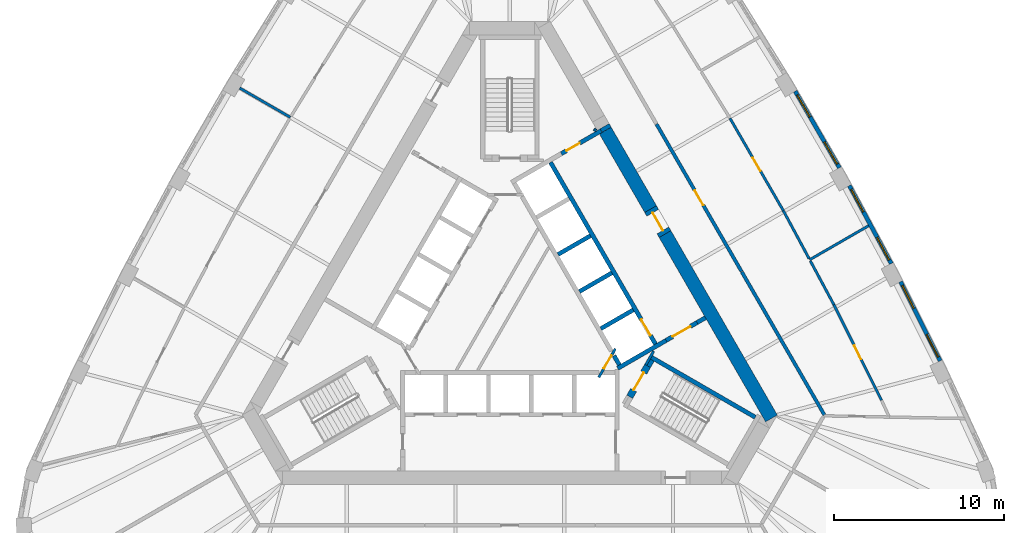
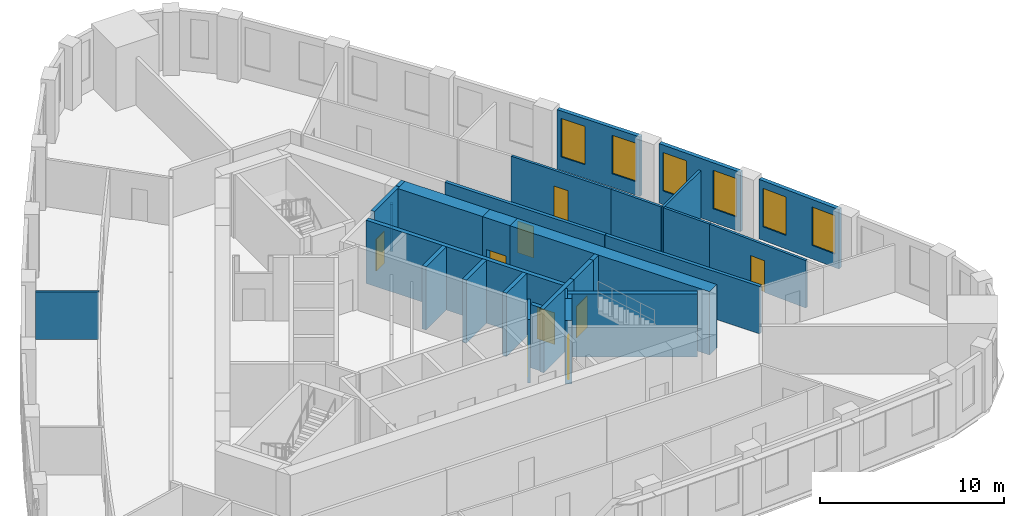
# One storey, part 7 of 10: 30 walls, 9 doors, 6 windows, 15 openings.
"""IFC4 building model written with IfcOpenShell, lengths in metres."""

from ifc_helpers import new_model, si_unit, direction, frame, frame_2d, origin, place, context, subcontext, project, spatial, polyline, rectangle, outline, extrude, material, layer, layer_set, type_object, element, fill, save


model = new_model("IFC4")

# Units and contexts
model_context = context("Model", 3, precision=1e-05, world=origin(), true_north=direction((0.0, 1.0)))
body_context = subcontext(model_context, "Body", "Model", "MODEL_VIEW")
ifc_project = project(units=[si_unit("LENGTHUNIT", "METRE"), si_unit("AREAUNIT", "SQUARE_METRE"), si_unit("VOLUMEUNIT", "CUBIC_METRE"), si_unit("PLANEANGLEUNIT", "RADIAN"), si_unit("MASSUNIT", "GRAM", prefix="KILO")], contexts=[model_context])

# Site, building, storey
site_placement = place(None, origin())
site = spatial("IfcSite", under=ifc_project, at=site_placement, CompositionType="ELEMENT")
building_placement = place(site_placement, origin())
building = spatial("IfcBuilding", under=site, at=building_placement, Name="Mestral Congress Tower", CompositionType="ELEMENT")
storey_placement = place(building_placement, frame((0.0, 0.0, 145.800048828125)))
storey = spatial("IfcBuildingStorey", under=building, at=storey_placement, Name="L34", CompositionType="ELEMENT", Elevation=145.800048828125)

# Walls
ifc_material_1 = material(Name="Fire-rated board partition")
ifc_layer_1 = layer(ifc_material_1, 0.14990234375)
ifc_layer_set_1 = layer_set([ifc_layer_1], Name="Fire-rated board partition")
wall_type_1 = type_object("IfcWallType", Name="Core partition 150", PredefinedType="PARTITIONING", material=ifc_layer_set_1)
wall_1_placement = place(storey_placement, frame((4.97998046875, 10.35791015625, 0.0), z_axis=(0.0, 0.0, 1.0), x_axis=(0.500640202437, 0.86565546709, 0.0)))
element("IfcWall", 1, at=wall_1_placement, inside=storey, type_object=wall_type_1, Name="L34 core wall", PredefinedType="PARTITIONING", context=body_context, shape_type="SweptSolid", body=[
    extrude(rectangle(XDim=0.145751953125, YDim=0.14990234375, at=frame_2d((0.07275390625, 0.0))), origin(), (0.0, 0.0, 1.0), 3.14990234375),
])
ifc_material_2 = material(Name="Concrete C60/75", Category="concrete")
ifc_layer_2 = layer(ifc_material_2, 0.800048828125)
ifc_layer_set_2 = layer_set([ifc_layer_2], Name="Concrete C60/75")
wall_type_2 = type_object("IfcWallType", Name="Core wall RC 800", PredefinedType="SOLIDWALL", material=ifc_layer_set_2)
wall_2_placement = place(storey_placement, frame((9.128662109375, 4.288818359375, 0.0), z_axis=(0.0, 0.0, 1.0), x_axis=(0.499995742806, -0.866027861663, 0.0)))
element("IfcWall", 2, at=wall_2_placement, inside=storey, type_object=wall_type_2, Name="L34 core wall", PredefinedType="SOLIDWALL", context=body_context, shape_type="SweptSolid", body=[
    extrude(rectangle(XDim=12.52734375, YDim=0.800048828125, at=frame_2d((6.263671875, 0.0))), origin(), (0.0, 0.0, 1.0), 4.199951171875),
])
wall_3_placement = place(storey_placement, frame((5.614501953125, 10.37548828125, 0.0), z_axis=(0.0, 0.0, 1.0), x_axis=(0.500002746266, -0.866023818221, 0.0)))
element("IfcWall", 3, at=wall_3_placement, inside=storey, type_object=wall_type_2, Name="L34 core wall", PredefinedType="SOLIDWALL", context=body_context, shape_type="SweptSolid", body=[
    extrude(rectangle(XDim=5.328125, YDim=0.800048828125, at=frame_2d((2.6640625, 0.0))), origin(), (0.0, 0.0, 1.0), 4.199951171875),
])
wall_4_placement = place(storey_placement, origin())
element("IfcWall", 4, at=wall_4_placement, inside=storey, type_object=wall_type_2, Name="L34 core wall", PredefinedType="SOLIDWALL", context=body_context, shape_type="SweptSolid", body=[
    extrude(outline(polyline([(5.431640625, 10.272216796875), (5.3076171875, 10.48681640625), (5.8359375, 10.7919921875), (5.9599609375, 10.5771484375), (5.431640625, 10.272216796875)])), origin(), (0.0, 0.0, 1.0), 4.199951171875),
])

# Wall, opening, door
wall_5_placement = place(storey_placement, frame((8.278564453125, 5.760986328125, 0.0), z_axis=(0.0, 0.0, 1.0), x_axis=(0.500062241894, -0.865989465428, 0.0)))
wall_5 = element("IfcWall", 5, at=wall_5_placement, inside=storey, type_object=wall_type_2, Name="L34 door wall", PredefinedType="SOLIDWALL", context=body_context, shape_type="SweptSolid", body=[
    extrude(rectangle(XDim=1.699951171875, YDim=0.800048828125, at=frame_2d((0.85009765625, 0.0))), origin(), (0.0, 0.0, 1.0), 4.199951171875),
])
opening_1_placement = place(wall_5_placement, frame((0.25, 0.0, 0.0)))
opening_1 = element("IfcOpeningElement", 6, at=opening_1_placement, cuts=wall_5, Name="Opening XDL", PredefinedType="OPENING", context=body_context, shape_type="SweptSolid", body=[
    extrude(rectangle(XDim=1.199951171875, YDim=2.10009765625, at=frame_2d((0.60009765625, 1.050048828125))), frame((0.0, 0.409912109375, 0.0), z_axis=(0.0, -1.0, 0.0), x_axis=(1.0, 0.0, 0.0)), (0.0, 0.0, 1.0), 0.820068359375),
])
ifc_material_3 = material(Name="Fire-rated steel door set", Category="steel")
door_type_1 = type_object("IfcDoorType", Name="Core door XD 1200x2100", OperationType="SINGLE_SWING_LEFT", PredefinedType="DOOR", material=ifc_material_3)
door_1_placement = place(opening_1_placement, origin())
door_1 = element("IfcDoor", 7, at=door_1_placement, inside=storey, type_object=door_type_1, Name="Door XDL", OperationType="SINGLE_SWING_LEFT", OverallHeight=2.10009765625, OverallWidth=1.199951171875, PredefinedType="DOOR", context=body_context, shape_type="SweptSolid", body=[
    extrude(rectangle(XDim=1.199951171875, YDim=2.10009765625, at=frame_2d((0.60009765625, 1.050048828125))), frame((0.0, 0.02490234375, 0.0), z_axis=(0.0, -1.0, 0.0), x_axis=(1.0, 0.0, 0.0)), (0.0, 0.0, 1.0), 0.050048828125),
])
fill(opening_1, door_1)

# Wall, openings, windows
ifc_material_4 = material(Name="Precast concrete C40/50 with limestone facing", Category="masonry")
ifc_layer_3 = layer(ifc_material_4, 0.239990234375)
ifc_layer_set_3 = layer_set([ifc_layer_3], Name="Precast concrete C40/50 with limestone facing")
wall_type_3 = type_object("IfcWallType", Name="Facade stone wall 240", PredefinedType="SOLIDWALL", material=ifc_layer_set_3)
wall_6_placement = place(storey_placement, frame((25.31591796875, -3.17138671875, 0.0), z_axis=(0.0, 0.0, 1.0), x_axis=(-0.446256171312, 0.8949052629, 0.0)))
wall_6 = element("IfcWall", 8, at=wall_6_placement, inside=storey, type_object=wall_type_3, Name="Facade wall F1-01", PredefinedType="SOLIDWALL", context=body_context, shape_type="SweptSolid", body=[
    extrude(rectangle(XDim=5.203369140625, YDim=0.239990234375, at=frame_2d((2.6015625, 0.0))), origin(), (0.0, 0.0, 1.0), 3.949951171875),
])
opening_2_placement = place(wall_6_placement, frame((0.248291015625, 0.0, 0.89990234375)))
opening_2 = element("IfcOpeningElement", 9, at=opening_2_placement, cuts=wall_6, Name="Opening W4", PredefinedType="OPENING", context=body_context, shape_type="SweptSolid", body=[
    extrude(rectangle(XDim=1.5, YDim=2.550048828125, at=frame_2d((0.75, 1.27490234375))), frame((0.0, 0.1298828125, 0.0), z_axis=(0.0, -1.0, 0.0), x_axis=(1.0, 0.0, 0.0)), (0.0, 0.0, 1.0), 0.260009765625),
])
opening_3_placement = place(wall_6_placement, frame((3.455078125, 0.0, 0.89990234375)))
opening_3 = element("IfcOpeningElement", 10, at=opening_3_placement, cuts=wall_6, Name="Opening W4", PredefinedType="OPENING", context=body_context, shape_type="SweptSolid", body=[
    extrude(rectangle(XDim=1.5, YDim=2.550048828125, at=frame_2d((0.75, 1.27490234375))), frame((0.0, 0.1298828125, 0.0), z_axis=(0.0, -1.0, 0.0), x_axis=(1.0, 0.0, 0.0)), (0.0, 0.0, 1.0), 0.260009765625),
])
ifc_material_5 = material(Name="Clear low-emissivity double glazing", Category="glass")
window_type = type_object("IfcWindowType", Name="Facade punched window 1500 x 2550 sill 900", PartitioningType="SINGLE_PANEL", PredefinedType="WINDOW", material=ifc_material_5)
window_1_placement = place(opening_2_placement, origin())
window_1 = element("IfcWindow", 11, at=window_1_placement, inside=storey, type_object=window_type, Name="Window F1-01a", OverallHeight=2.550048828125, OverallWidth=1.5, PartitioningType="SINGLE_PANEL", PredefinedType="WINDOW", context=body_context, shape_type="SweptSolid", body=[
    extrude(rectangle(XDim=1.5, YDim=2.550048828125, at=frame_2d((0.75, 1.27490234375))), frame((0.0, 0.0400390625, 0.0), z_axis=(0.0, -1.0, 0.0), x_axis=(1.0, 0.0, 0.0)), (0.0, 0.0, 1.0), 0.06005859375),
])
fill(opening_2, window_1)
window_2_placement = place(opening_3_placement, origin())
window_2 = element("IfcWindow", 12, at=window_2_placement, inside=storey, type_object=window_type, Name="Window F1-01b", OverallHeight=2.550048828125, OverallWidth=1.5, PartitioningType="SINGLE_PANEL", PredefinedType="WINDOW", context=body_context, shape_type="SweptSolid", body=[
    extrude(rectangle(XDim=1.5, YDim=2.550048828125, at=frame_2d((0.75, 1.27490234375))), frame((0.0, 0.0400390625, 0.0), z_axis=(0.0, -1.0, 0.0), x_axis=(1.0, 0.0, 0.0)), (0.0, 0.0, 1.0), 0.06005859375),
])
fill(opening_3, window_2)

wall_7_placement = place(storey_placement, frame((22.43994140625, 2.554931640625, 0.0), z_axis=(0.0, 0.0, 1.0), x_axis=(-0.473349833294, 0.880874528704, 0.0)))
wall_7 = element("IfcWall", 13, at=wall_7_placement, inside=storey, type_object=wall_type_3, Name="Facade wall F1-02", PredefinedType="SOLIDWALL", context=body_context, shape_type="SweptSolid", body=[
    extrude(rectangle(XDim=5.20361328125, YDim=0.239990234375, at=frame_2d((2.601806640625, 0.0))), origin(), (0.0, 0.0, 1.0), 3.949951171875),
])
opening_4_placement = place(wall_7_placement, frame((0.248291015625, 0.0, 0.89990234375)))
opening_4 = element("IfcOpeningElement", 14, at=opening_4_placement, cuts=wall_7, Name="Opening W4", PredefinedType="OPENING", context=body_context, shape_type="SweptSolid", body=[
    extrude(rectangle(XDim=1.5, YDim=2.550048828125, at=frame_2d((0.75, 1.27490234375))), frame((0.0, 0.1298828125, 0.0), z_axis=(0.0, -1.0, 0.0), x_axis=(1.0, 0.0, 0.0)), (0.0, 0.0, 1.0), 0.260009765625),
])
opening_5_placement = place(wall_7_placement, frame((3.455078125, 0.0, 0.89990234375)))
opening_5 = element("IfcOpeningElement", 15, at=opening_5_placement, cuts=wall_7, Name="Opening W4", PredefinedType="OPENING", context=body_context, shape_type="SweptSolid", body=[
    extrude(rectangle(XDim=1.5, YDim=2.550048828125, at=frame_2d((0.75, 1.27490234375))), frame((0.0, 0.1298828125, 0.0), z_axis=(0.0, -1.0, 0.0), x_axis=(1.0, 0.0, 0.0)), (0.0, 0.0, 1.0), 0.260009765625),
])
window_3_placement = place(opening_4_placement, origin())
window_3 = element("IfcWindow", 16, at=window_3_placement, inside=storey, type_object=window_type, Name="Window F1-02a", OverallHeight=2.550048828125, OverallWidth=1.5, PartitioningType="SINGLE_PANEL", PredefinedType="WINDOW", context=body_context, shape_type="SweptSolid", body=[
    extrude(rectangle(XDim=1.5, YDim=2.550048828125, at=frame_2d((0.75, 1.27490234375))), frame((0.0, 0.0400390625, 0.0), z_axis=(0.0, -1.0, 0.0), x_axis=(1.0, 0.0, 0.0)), (0.0, 0.0, 1.0), 0.06005859375),
])
fill(opening_4, window_3)
window_4_placement = place(opening_5_placement, origin())
window_4 = element("IfcWindow", 17, at=window_4_placement, inside=storey, type_object=window_type, Name="Window F1-02b", OverallHeight=2.550048828125, OverallWidth=1.5, PartitioningType="SINGLE_PANEL", PredefinedType="WINDOW", context=body_context, shape_type="SweptSolid", body=[
    extrude(rectangle(XDim=1.5, YDim=2.550048828125, at=frame_2d((0.75, 1.27490234375))), frame((0.0, 0.0400390625, 0.0), z_axis=(0.0, -1.0, 0.0), x_axis=(1.0, 0.0, 0.0)), (0.0, 0.0, 1.0), 0.06005859375),
])
fill(opening_5, window_4)

wall_8_placement = place(storey_placement, frame((19.390625, 8.19091796875, 0.0), z_axis=(0.0, 0.0, 1.0), x_axis=(-0.500009456303, 0.866019944116, 0.0)))
wall_8 = element("IfcWall", 18, at=wall_8_placement, inside=storey, type_object=wall_type_3, Name="Facade wall F1-03", PredefinedType="SOLIDWALL", context=body_context, shape_type="SweptSolid", body=[
    extrude(rectangle(XDim=5.20361328125, YDim=0.239990234375, at=frame_2d((2.601806640625, 0.0))), origin(), (0.0, 0.0, 1.0), 3.949951171875),
])
opening_6_placement = place(wall_8_placement, frame((0.248291015625, 0.0, 0.89990234375)))
opening_6 = element("IfcOpeningElement", 19, at=opening_6_placement, cuts=wall_8, Name="Opening W4", PredefinedType="OPENING", context=body_context, shape_type="SweptSolid", body=[
    extrude(rectangle(XDim=1.5, YDim=2.550048828125, at=frame_2d((0.75, 1.27490234375))), frame((0.0, 0.1298828125, 0.0), z_axis=(0.0, -1.0, 0.0), x_axis=(1.0, 0.0, 0.0)), (0.0, 0.0, 1.0), 0.260009765625),
])
opening_7_placement = place(wall_8_placement, frame((3.455078125, 0.0, 0.89990234375)))
opening_7 = element("IfcOpeningElement", 20, at=opening_7_placement, cuts=wall_8, Name="Opening W4", PredefinedType="OPENING", context=body_context, shape_type="SweptSolid", body=[
    extrude(rectangle(XDim=1.5, YDim=2.550048828125, at=frame_2d((0.75, 1.27490234375))), frame((0.0, 0.1298828125, 0.0), z_axis=(0.0, -1.0, 0.0), x_axis=(1.0, 0.0, 0.0)), (0.0, 0.0, 1.0), 0.260009765625),
])
window_5_placement = place(opening_6_placement, origin())
window_5 = element("IfcWindow", 21, at=window_5_placement, inside=storey, type_object=window_type, Name="Window F1-03a", OverallHeight=2.550048828125, OverallWidth=1.5, PartitioningType="SINGLE_PANEL", PredefinedType="WINDOW", context=body_context, shape_type="SweptSolid", body=[
    extrude(rectangle(XDim=1.5, YDim=2.550048828125, at=frame_2d((0.75, 1.27490234375))), frame((0.0, 0.0400390625, 0.0), z_axis=(0.0, -1.0, 0.0), x_axis=(1.0, 0.0, 0.0)), (0.0, 0.0, 1.0), 0.06005859375),
])
fill(opening_6, window_5)
window_6_placement = place(opening_7_placement, origin())
window_6 = element("IfcWindow", 22, at=window_6_placement, inside=storey, type_object=window_type, Name="Window F1-03b", OverallHeight=2.550048828125, OverallWidth=1.5, PartitioningType="SINGLE_PANEL", PredefinedType="WINDOW", context=body_context, shape_type="SweptSolid", body=[
    extrude(rectangle(XDim=1.5, YDim=2.550048828125, at=frame_2d((0.75, 1.27490234375))), frame((0.0, 0.0400390625, 0.0), z_axis=(0.0, -1.0, 0.0), x_axis=(1.0, 0.0, 0.0)), (0.0, 0.0, 1.0), 0.06005859375),
])
fill(opening_7, window_6)

# Wall
ifc_material_6 = material(Name="Plasterboard partition on steel studs", Category="steel")
ifc_layer_4 = layer(ifc_material_6, 0.14990234375)
ifc_layer_set_4 = layer_set([ifc_layer_4], Name="Plasterboard partition on steel studs")
wall_type_4 = type_object("IfcWallType", Name="Office partition 150", PredefinedType="PARTITIONING", material=ifc_layer_set_4)
wall_9_placement = place(storey_placement, frame((17.64111328125, 2.78125, 0.0), z_axis=(0.0, 0.0, 1.0), x_axis=(0.866053520969, 0.499951296445, 0.0)))
element("IfcWall", 23, at=wall_9_placement, inside=storey, type_object=wall_type_4, Name="Partition", PredefinedType="PARTITIONING", context=body_context, shape_type="SweptSolid", body=[
    extrude(rectangle(XDim=4.001953125, YDim=0.14990234375, at=frame_2d((2.0009765625, 0.0))), origin(), (0.0, 0.0, 1.0), 3.14990234375),
])

# Wall, opening, door
wall_10_placement = place(storey_placement, frame((19.066162109375, 0.12939453125, 0.0), z_axis=(0.0, 0.0, 1.0), x_axis=(0.446202922071, -0.89493181435, 0.0)))
wall_10 = element("IfcWall", 24, at=wall_10_placement, inside=storey, type_object=wall_type_4, Name="Partition", PredefinedType="PARTITIONING", context=body_context, shape_type="SweptSolid", body=[
    extrude(rectangle(XDim=6.282470703125, YDim=0.14990234375, at=frame_2d((3.14111328125, 0.0))), origin(), (0.0, 0.0, 1.0), 3.14990234375),
])
opening_8_placement = place(wall_10_placement, frame((2.6826171875, 0.0, 0.0)))
opening_8 = element("IfcOpeningElement", 25, at=opening_8_placement, cuts=wall_10, Name="Opening O01-008", PredefinedType="OPENING", context=body_context, shape_type="SweptSolid", body=[
    extrude(rectangle(XDim=0.89990234375, YDim=2.10009765625, at=frame_2d((0.449951171875, 1.050048828125))), frame((0.0, 0.0849609375, 0.0), z_axis=(0.0, -1.0, 0.0), x_axis=(1.0, 0.0, 0.0)), (0.0, 0.0, 1.0), 0.169921875),
])
ifc_material_7 = material(Name="Timber door set", Category="wood")
door_type_2 = type_object("IfcDoorType", Name="Office door 900x2100", OperationType="SINGLE_SWING_LEFT", PredefinedType="DOOR", material=ifc_material_7)
door_2_placement = place(opening_8_placement, origin())
door_2 = element("IfcDoor", 26, at=door_2_placement, inside=storey, type_object=door_type_2, Name="Door O01-008", OperationType="SINGLE_SWING_LEFT", OverallHeight=2.10009765625, OverallWidth=0.89990234375, PredefinedType="DOOR", context=body_context, shape_type="SweptSolid", body=[
    extrude(rectangle(XDim=0.89990234375, YDim=2.10009765625, at=frame_2d((0.449951171875, 1.050048828125))), frame((0.0, 0.02490234375, 0.0), z_axis=(0.0, -1.0, 0.0), x_axis=(1.0, 0.0, 0.0)), (0.0, 0.0, 1.0), 0.050048828125),
])
fill(opening_8, door_2)

# Walls
wall_11_placement = place(storey_placement, frame((19.066162109375, 0.12939453125, 0.0), z_axis=(0.0, 0.0, 1.0), x_axis=(-0.473335829303, 0.880882053795, 0.0)))
element("IfcWall", 27, at=wall_11_placement, inside=storey, type_object=wall_type_4, Name="Partition", PredefinedType="PARTITIONING", context=body_context, shape_type="SweptSolid", body=[
    extrude(rectangle(XDim=2.935302734375, YDim=0.14990234375, at=frame_2d((1.4677734375, 0.0))), origin(), (0.0, 0.0, 1.0), 3.14990234375),
])
wall_12_placement = place(storey_placement, frame((17.605712890625, 2.847412109375, 0.0), z_axis=(0.0, 0.0, 1.0), x_axis=(-0.473348321673, 0.880875340993, 0.0)))
element("IfcWall", 28, at=wall_12_placement, inside=storey, type_object=wall_type_4, Name="Partition", PredefinedType="PARTITIONING", context=body_context, shape_type="SweptSolid", body=[
    extrude(rectangle(XDim=3.197265625, YDim=0.14990234375, at=frame_2d((1.5986328125, 0.0))), origin(), (0.0, 0.0, 1.0), 3.14990234375),
])

# Wall, opening, door
wall_13_placement = place(storey_placement, frame((12.951171875, 11.1044921875, 0.0), z_axis=(0.0, 0.0, 1.0), x_axis=(0.499992691614, -0.866029623242, 0.0)))
wall_13 = element("IfcWall", 29, at=wall_13_placement, inside=storey, type_object=wall_type_4, Name="Partition", PredefinedType="PARTITIONING", context=body_context, shape_type="SweptSolid", body=[
    extrude(rectangle(XDim=6.2822265625, YDim=0.14990234375, at=frame_2d((3.14111328125, 0.0))), origin(), (0.0, 0.0, 1.0), 3.14990234375),
])
opening_9_placement = place(wall_13_placement, frame((2.6826171875, 0.0, 0.0)))
opening_9 = element("IfcOpeningElement", 30, at=opening_9_placement, cuts=wall_13, Name="Opening O01-009", PredefinedType="OPENING", context=body_context, shape_type="SweptSolid", body=[
    extrude(rectangle(XDim=0.89990234375, YDim=2.10009765625, at=frame_2d((0.449951171875, 1.050048828125))), frame((0.0, 0.0849609375, 0.0), z_axis=(0.0, -1.0, 0.0), x_axis=(1.0, 0.0, 0.0)), (0.0, 0.0, 1.0), 0.169921875),
])
door_3_placement = place(opening_9_placement, origin())
door_3 = element("IfcDoor", 31, at=door_3_placement, inside=storey, type_object=door_type_2, Name="Door O01-009", OperationType="SINGLE_SWING_LEFT", OverallHeight=2.10009765625, OverallWidth=0.89990234375, PredefinedType="DOOR", context=body_context, shape_type="SweptSolid", body=[
    extrude(rectangle(XDim=0.89990234375, YDim=2.10009765625, at=frame_2d((0.449951171875, 1.050048828125))), frame((0.0, 0.02490234375, 0.0), z_axis=(0.0, -1.0, 0.0), x_axis=(1.0, 0.0, 0.0)), (0.0, 0.0, 1.0), 0.050048828125),
])
fill(opening_9, door_3)

# Wall
wall_14_placement = place(storey_placement, frame((-12.91650390625, 11.16015625, 0.0), z_axis=(0.0, 0.0, 1.0), x_axis=(-0.866039125629, 0.499976232315, 0.0)))
element("IfcWall", 32, at=wall_14_placement, inside=storey, type_object=wall_type_4, Name="Partition", PredefinedType="PARTITIONING", context=body_context, shape_type="SweptSolid", body=[
    extrude(rectangle(XDim=3.442138671875, YDim=0.14990234375, at=frame_2d((1.72119140625, 0.0))), origin(), (0.0, 0.0, 1.0), 3.14990234375),
])

# Wall, opening, door
ifc_material_8 = material(Name="Dense masonry wall, plastered", Category="masonry")
ifc_layer_5 = layer(ifc_material_8, 0.199951171875)
ifc_layer_set_5 = layer_set([ifc_layer_5], Name="Dense masonry wall, plastered")
wall_type_5 = type_object("IfcWallType", Name="Office tenancy wall 200", PredefinedType="PARTITIONING", material=ifc_layer_set_5)
wall_15_placement = place(storey_placement, frame((13.63037109375, 2.09130859375, 0.0), z_axis=(0.0, 0.0, 1.0), x_axis=(-0.499990634175, 0.866030811078, 0.0)))
wall_15 = element("IfcWall", 33, at=wall_15_placement, inside=storey, type_object=wall_type_5, Name="Tenancy wall", PredefinedType="PARTITIONING", context=body_context, shape_type="SweptSolid", body=[
    extrude(rectangle(XDim=10.008056640625, YDim=0.199951171875, at=frame_2d((5.00390625, 0.0))), origin(), (0.0, 0.0, 1.0), 3.14990234375),
])
opening_10_placement = place(wall_15_placement, frame((4.5, 0.0, 0.0)))
opening_10 = element("IfcOpeningElement", 34, at=opening_10_placement, cuts=wall_15, Name="Opening O01-011", PredefinedType="OPENING", context=body_context, shape_type="SweptSolid", body=[
    extrude(rectangle(XDim=1.0, YDim=2.10009765625, at=frame_2d((0.5, 1.050048828125))), frame((0.0, 0.10986328125, 0.0), z_axis=(0.0, -1.0, 0.0), x_axis=(1.0, 0.0, 0.0)), (0.0, 0.0, 1.0), 0.219970703125),
])
ifc_material_9 = material(Name="Fire-rated timber door set", Category="wood")
door_type_3 = type_object("IfcDoorType", Name="Office tenancy entrance door 1000x2100", OperationType="SINGLE_SWING_LEFT", PredefinedType="DOOR", material=ifc_material_9)
door_4_placement = place(opening_10_placement, origin())
door_4 = element("IfcDoor", 35, at=door_4_placement, inside=storey, type_object=door_type_3, Name="Door O01-011", OperationType="SINGLE_SWING_LEFT", OverallHeight=2.10009765625, OverallWidth=1.0, PredefinedType="DOOR", context=body_context, shape_type="SweptSolid", body=[
    extrude(rectangle(XDim=1.0, YDim=2.10009765625, at=frame_2d((0.5, 1.050048828125))), frame((0.0, 0.02490234375, 0.0), z_axis=(0.0, -1.0, 0.0), x_axis=(1.0, 0.0, 0.0)), (0.0, 0.0, 1.0), 0.050048828125),
])
fill(opening_10, door_4)

# Walls
wall_16_placement = place(storey_placement, frame((18.504150390625, -6.35009765625, 0.0), z_axis=(0.0, 0.0, 1.0), x_axis=(-0.499995029582, 0.866028273438, 0.0)))
element("IfcWall", 36, at=wall_16_placement, inside=storey, type_object=wall_type_5, Name="Tenancy wall", PredefinedType="PARTITIONING", context=body_context, shape_type="SweptSolid", body=[
    extrude(rectangle(XDim=9.71728515625, YDim=0.199951171875, at=frame_2d((4.858642578125, 0.0))), origin(), (0.0, 0.0, 1.0), 3.14990234375),
])
ifc_layer_6 = layer(ifc_material_2, 0.25)
ifc_layer_set_6 = layer_set([ifc_layer_6], Name="Concrete C60/75")
wall_type_6 = type_object("IfcWallType", Name="Shaft wall RC 250", PredefinedType="SOLIDWALL", material=ifc_layer_set_6)
wall_17_placement = place(storey_placement, frame((9.190185546875, -1.96875, 0.0), z_axis=(0.0, 0.0, 1.0), x_axis=(-0.866057109641, -0.499945079824, 0.0)))
element("IfcWall", 37, at=wall_17_placement, inside=storey, type_object=wall_type_6, Name="L34 core wall", PredefinedType="SOLIDWALL", context=body_context, shape_type="SweptSolid", body=[
    extrude(rectangle(XDim=3.290771484375, YDim=0.25, at=frame_2d((1.6455078125, 0.0))), origin(), (0.0, 0.0, 1.0), 4.199951171875),
])
wall_18_placement = place(storey_placement, frame((6.1298828125, -2.867431640625, 0.0), z_axis=(0.0, 0.0, 1.0), x_axis=(0.500160776593, -0.865932559475, 0.0)))
element("IfcWall", 38, at=wall_18_placement, inside=storey, type_object=wall_type_6, Name="L34 core wall", PredefinedType="SOLIDWALL", context=body_context, shape_type="SweptSolid", body=[
    extrude(rectangle(XDim=0.626708984375, YDim=0.25, at=frame_2d((0.3134765625, 0.0))), origin(), (0.0, 0.0, 1.0), 4.199951171875),
])
wall_19_placement = place(storey_placement, frame((11.507080078125, -0.631103515625, 0.0), z_axis=(0.0, 0.0, 1.0), x_axis=(-0.866093731455, -0.499881634324, 0.0)))
element("IfcWall", 39, at=wall_19_placement, inside=storey, type_object=wall_type_6, Name="L34 core wall", PredefinedType="SOLIDWALL", context=body_context, shape_type="SweptSolid", body=[
    extrude(rectangle(XDim=0.575439453125, YDim=0.25, at=frame_2d((0.28759765625, 0.0))), origin(), (0.0, 0.0, 1.0), 4.199951171875),
])
for number, where, z_axis, x_axis, name in (
    (40, (2.833984375, 3.091064453125, 0.0), (0.0, 0.0, 1.0), (0.866008176907, 0.50002983664, 0.0), "L34 core wall"),
    (41, (4.093994140625, 0.90869140625, 0.0), (0.0, 0.0, 1.0), (0.866008176907, 0.50002983664, 0.0), "L34 core wall"),
    (42, (5.35400390625, -1.273681640625, 0.0), (0.0, 0.0, 1.0), (0.866008176907, 0.50002983664, 0.0), "L34 core wall"),
):
    element("IfcWall", number, at=place(storey_placement, frame(where, z_axis=z_axis, x_axis=x_axis)), inside=storey, type_object=wall_type_6, Name=name, PredefinedType="SOLIDWALL", context=body_context, shape_type="SweptSolid", body=[
        extrude(rectangle(XDim=2.199951171875, YDim=0.25, at=frame_2d((1.10009765625, 0.0))), origin(), (0.0, 0.0, 1.0), 4.199951171875),
    ])

# Wall, opening, door
wall_20_placement = place(storey_placement, frame((8.565185546875, -2.185302734375, 0.0), z_axis=(0.0, 0.0, 1.0), x_axis=(-0.499997954832, 0.866026584559, 0.0)))
wall_20 = element("IfcWall", 43, at=wall_20_placement, inside=storey, type_object=wall_type_6, Name="L34 door wall", PredefinedType="SOLIDWALL", context=body_context, shape_type="SweptSolid", body=[
    extrude(rectangle(XDim=12.35009765625, YDim=0.25, at=frame_2d((6.175048828125, 0.0))), origin(), (0.0, 0.0, 1.0), 4.199951171875),
])
opening_11_placement = place(wall_20_placement, frame((0.5849609375, 0.0, 0.0)))
opening_11 = element("IfcOpeningElement", 44, at=opening_11_placement, cuts=wall_20, Name="Opening LD-NEB1", PredefinedType="OPENING", context=body_context, shape_type="SweptSolid", body=[
    extrude(rectangle(XDim=1.10009765625, YDim=2.10009765625, at=frame_2d((0.550048828125, 1.050048828125))), frame((0.0, 0.135009765625, 0.0), z_axis=(0.0, -1.0, 0.0), x_axis=(1.0, 0.0, 0.0)), (0.0, 0.0, 1.0), 0.27001953125),
])
door_type_4 = type_object("IfcDoorType", Name="Core door LD 1100x2100", OperationType="DOUBLE_DOOR_SLIDING", PredefinedType="DOOR", material=ifc_material_3)
door_5_placement = place(opening_11_placement, origin())
door_5 = element("IfcDoor", 45, at=door_5_placement, inside=storey, type_object=door_type_4, Name="Door LD-NEB1", OperationType="DOUBLE_DOOR_SLIDING", OverallHeight=2.10009765625, OverallWidth=1.10009765625, PredefinedType="DOOR", context=body_context, shape_type="SweptSolid", body=[
    extrude(rectangle(XDim=1.10009765625, YDim=2.10009765625, at=frame_2d((0.550048828125, 1.050048828125))), frame((0.0, 0.02490234375, 0.0), z_axis=(0.0, -1.0, 0.0), x_axis=(1.0, 0.0, 0.0)), (0.0, 0.0, 1.0), 0.050048828125),
])
fill(opening_11, door_5)

wall_21_placement = place(storey_placement, frame((5.3662109375, 10.372802734375, 0.0), z_axis=(0.0, 0.0, 1.0), x_axis=(-0.866019956843, -0.50000943426, 0.0)))
wall_21 = element("IfcWall", 46, at=wall_21_placement, inside=storey, type_object=wall_type_6, Name="L34 door wall", PredefinedType="SOLIDWALL", context=body_context, shape_type="SweptSolid", body=[
    extrude(rectangle(XDim=2.7001953125, YDim=0.25, at=frame_2d((1.35009765625, 0.0))), origin(), (0.0, 0.0, 1.0), 4.199951171875),
])
opening_12_placement = place(wall_21_placement, frame((1.449951171875, 0.0, 0.0)))
opening_12 = element("IfcOpeningElement", 47, at=opening_12_placement, cuts=wall_21, Name="Opening TD2", PredefinedType="OPENING", context=body_context, shape_type="SweptSolid", body=[
    extrude(rectangle(XDim=0.89990234375, YDim=2.10009765625, at=frame_2d((0.449951171875, 1.050048828125))), frame((0.0, 0.135009765625, 0.0), z_axis=(0.0, -1.0, 0.0), x_axis=(1.0, 0.0, 0.0)), (0.0, 0.0, 1.0), 0.27001953125),
])
door_type_5 = type_object("IfcDoorType", Name="Core door SR 900x2100", OperationType="SINGLE_SWING_LEFT", PredefinedType="DOOR", material=ifc_material_3)
door_6_placement = place(opening_12_placement, origin())
door_6 = element("IfcDoor", 48, at=door_6_placement, inside=storey, type_object=door_type_5, Name="Door TD2", OperationType="SINGLE_SWING_LEFT", OverallHeight=2.10009765625, OverallWidth=0.89990234375, PredefinedType="DOOR", context=body_context, shape_type="SweptSolid", body=[
    extrude(rectangle(XDim=0.89990234375, YDim=2.10009765625, at=frame_2d((0.449951171875, 1.050048828125))), frame((0.0, 0.02490234375, 0.0), z_axis=(0.0, -1.0, 0.0), x_axis=(1.0, 0.0, 0.0)), (0.0, 0.0, 1.0), 0.050048828125),
])
fill(opening_12, door_6)

wall_22_placement = place(storey_placement, frame((11.0087890625, -0.918701171875, 0.0), z_axis=(0.0, 0.0, 1.0), x_axis=(-0.866059744384, -0.49994051562, 0.0)))
wall_22 = element("IfcWall", 49, at=wall_22_placement, inside=storey, type_object=wall_type_6, Name="L34 door wall", PredefinedType="SOLIDWALL", context=body_context, shape_type="SweptSolid", body=[
    extrude(rectangle(XDim=2.099853515625, YDim=0.25, at=frame_2d((1.0498046875, 0.0))), origin(), (0.0, 0.0, 1.0), 4.199951171875),
])
opening_13_placement = place(wall_22_placement, frame((0.449951171875, 0.0, 0.0)))
opening_13 = element("IfcOpeningElement", 50, at=opening_13_placement, cuts=wall_22, Name="Opening LB1-PX10", PredefinedType="OPENING", context=body_context, shape_type="SweptSolid", body=[
    extrude(rectangle(XDim=1.199951171875, YDim=2.10009765625, at=frame_2d((0.60009765625, 1.050048828125))), frame((0.0, 0.135009765625, 0.0), z_axis=(0.0, -1.0, 0.0), x_axis=(1.0, 0.0, 0.0)), (0.0, 0.0, 1.0), 0.27001953125),
])
door_type_6 = type_object("IfcDoorType", Name="Core door LB 1200x2100", OperationType="SINGLE_SWING_LEFT", PredefinedType="DOOR", material=ifc_material_3)
door_7_placement = place(opening_13_placement, origin())
door_7 = element("IfcDoor", 51, at=door_7_placement, inside=storey, type_object=door_type_6, Name="Door LB1-PX10", OperationType="SINGLE_SWING_LEFT", OverallHeight=2.10009765625, OverallWidth=1.199951171875, PredefinedType="DOOR", context=body_context, shape_type="SweptSolid", body=[
    extrude(rectangle(XDim=1.199951171875, YDim=2.10009765625, at=frame_2d((0.60009765625, 1.050048828125))), frame((0.0, 0.02490234375, 0.0), z_axis=(0.0, -1.0, 0.0), x_axis=(1.0, 0.0, 0.0)), (0.0, 0.0, 1.0), 0.050048828125),
])
fill(opening_13, door_7)

# Wall
ifc_layer_7 = layer(ifc_material_2, 0.14990234375)
ifc_layer_set_7 = layer_set([ifc_layer_7], Name="Concrete C60/75")
wall_type_7 = type_object("IfcWallType", Name="Shaft wall RC 250 door-wall 150", PredefinedType="SOLIDWALL", material=ifc_layer_set_7)
wall_23_placement = place(storey_placement, frame((8.459228515625, -2.59912109375, 0.0), z_axis=(0.0, 0.0, 1.0), x_axis=(-0.500041054325, -0.866001699761, 0.0)))
element("IfcWall", 52, at=wall_23_placement, inside=storey, type_object=wall_type_7, Name="L34 core wall", PredefinedType="PARTITIONING", context=body_context, shape_type="SweptSolid", body=[
    extrude(rectangle(XDim=0.9287109375, YDim=0.14990234375, at=frame_2d((0.46435546875, 0.0))), origin(), (0.0, 0.0, 1.0), 4.199951171875),
])

# Wall, opening, door
wall_24_placement = place(storey_placement, frame((6.203369140625, -2.45556640625, 0.0), z_axis=(0.0, 0.0, 1.0), x_axis=(-0.500043961785, -0.866000020948, 0.0)))
wall_24 = element("IfcWall", 53, at=wall_24_placement, inside=storey, type_object=wall_type_7, Name="L34 door wall", PredefinedType="PARTITIONING", context=body_context, shape_type="SweptSolid", body=[
    extrude(rectangle(XDim=1.949951171875, YDim=0.14990234375, at=frame_2d((0.97509765625, 0.0))), origin(), (0.0, 0.0, 1.0), 4.199951171875),
])
opening_14_placement = place(wall_24_placement, frame((0.449951171875, 0.0, 0.0)))
opening_14 = element("IfcOpeningElement", 54, at=opening_14_placement, cuts=wall_24, Name="Opening CD1-HUB0", PredefinedType="OPENING", context=body_context, shape_type="SweptSolid", body=[
    extrude(rectangle(XDim=0.89990234375, YDim=2.10009765625, at=frame_2d((0.449951171875, 1.050048828125))), frame((0.0, 0.0849609375, 0.0), z_axis=(0.0, -1.0, 0.0), x_axis=(1.0, 0.0, 0.0)), (0.0, 0.0, 1.0), 0.169921875),
])
door_type_7 = type_object("IfcDoorType", Name="Core door CD 900x2100", OperationType="SINGLE_SWING_LEFT", PredefinedType="DOOR", material=ifc_material_3)
door_8_placement = place(opening_14_placement, origin())
door_8 = element("IfcDoor", 55, at=door_8_placement, inside=storey, type_object=door_type_7, Name="Door CD1-HUB0", OperationType="SINGLE_SWING_LEFT", OverallHeight=2.10009765625, OverallWidth=0.89990234375, PredefinedType="DOOR", context=body_context, shape_type="SweptSolid", body=[
    extrude(rectangle(XDim=0.89990234375, YDim=2.10009765625, at=frame_2d((0.449951171875, 1.050048828125))), frame((0.0, 0.02490234375, 0.0), z_axis=(0.0, -1.0, 0.0), x_axis=(1.0, 0.0, 0.0)), (0.0, 0.0, 1.0), 0.050048828125),
])
fill(opening_14, door_8)

# Walls
ifc_layer_8 = layer(ifc_material_2, 0.25)
ifc_layer_set_8 = layer_set([ifc_layer_8], Name="Concrete C60/75")
wall_type_8 = type_object("IfcWallType", Name="Stair wall RC 250", PredefinedType="SOLIDWALL", material=ifc_layer_set_8)
wall_25_placement = place(storey_placement, frame((8.33447265625, -2.96435546875, 0.0), z_axis=(0.0, 0.0, 1.0), x_axis=(0.866016039709, -0.500016218704, 0.0)))
element("IfcWall", 56, at=wall_25_placement, inside=storey, type_object=wall_type_8, Name="L34 core wall", PredefinedType="SOLIDWALL", context=body_context, shape_type="SweptSolid", body=[
    extrude(rectangle(XDim=7.050048828125, YDim=0.25, at=frame_2d((3.52490234375, 0.0))), origin(), (0.0, 0.0, 1.0), 4.199951171875),
])
wall_26_placement = place(storey_placement, frame((8.167724609375, -3.503173828125, 0.0), z_axis=(0.0, 0.0, 1.0), x_axis=(0.49972245349, 0.866185586049, 0.0)))
element("IfcWall", 57, at=wall_26_placement, inside=storey, type_object=wall_type_8, Name="L34 core wall", PredefinedType="SOLIDWALL", context=body_context, shape_type="SweptSolid", body=[
    extrude(rectangle(XDim=0.425048828125, YDim=0.25, at=frame_2d((0.21240234375, 0.0))), origin(), (0.0, 0.0, 1.0), 4.199951171875),
])

# Wall, opening, door
ifc_layer_9 = layer(ifc_material_2, 0.39990234375)
ifc_layer_set_9 = layer_set([ifc_layer_9], Name="Concrete C60/75")
wall_type_9 = type_object("IfcWallType", Name="Stair wall RC 250 door-wall 400", PredefinedType="SOLIDWALL", material=ifc_layer_set_9)
wall_27_placement = place(storey_placement, frame((7.052734375, -5.2841796875, 0.0), z_axis=(0.0, 0.0, 1.0), x_axis=(0.500078061341, 0.865980330357, 0.0)))
wall_27 = element("IfcWall", 58, at=wall_27_placement, inside=storey, type_object=wall_type_9, Name="L34 door wall", PredefinedType="SOLIDWALL", context=body_context, shape_type="SweptSolid", body=[
    extrude(rectangle(XDim=2.099853515625, YDim=0.39990234375, at=frame_2d((1.0498046875, 0.0))), origin(), (0.0, 0.0, 1.0), 4.199951171875),
])
opening_15_placement = place(wall_27_placement, frame((0.449951171875, 0.0, 0.0)))
opening_15 = element("IfcOpeningElement", 59, at=opening_15_placement, cuts=wall_27, Name="Opening ST-D1", PredefinedType="OPENING", context=body_context, shape_type="SweptSolid", body=[
    extrude(rectangle(XDim=1.199951171875, YDim=2.10009765625, at=frame_2d((0.60009765625, 1.050048828125))), frame((0.0, 0.2099609375, 0.0), z_axis=(0.0, -1.0, 0.0), x_axis=(1.0, 0.0, 0.0)), (0.0, 0.0, 1.0), 0.419921875),
])
door_type_8 = type_object("IfcDoorType", Name="Core door ST 1200x2100", OperationType="SINGLE_SWING_LEFT", PredefinedType="DOOR", material=ifc_material_3)
door_9_placement = place(opening_15_placement, origin())
door_9 = element("IfcDoor", 60, at=door_9_placement, inside=storey, type_object=door_type_8, Name="Door ST-D1", OperationType="SINGLE_SWING_LEFT", OverallHeight=2.10009765625, OverallWidth=1.199951171875, PredefinedType="DOOR", context=body_context, shape_type="SweptSolid", body=[
    extrude(rectangle(XDim=1.199951171875, YDim=2.10009765625, at=frame_2d((0.60009765625, 1.050048828125))), frame((0.0, 0.02490234375, 0.0), z_axis=(0.0, -1.0, 0.0), x_axis=(1.0, 0.0, 0.0)), (0.0, 0.0, 1.0), 0.050048828125),
])
fill(opening_15, door_9)

save(model, "model.ifc")
